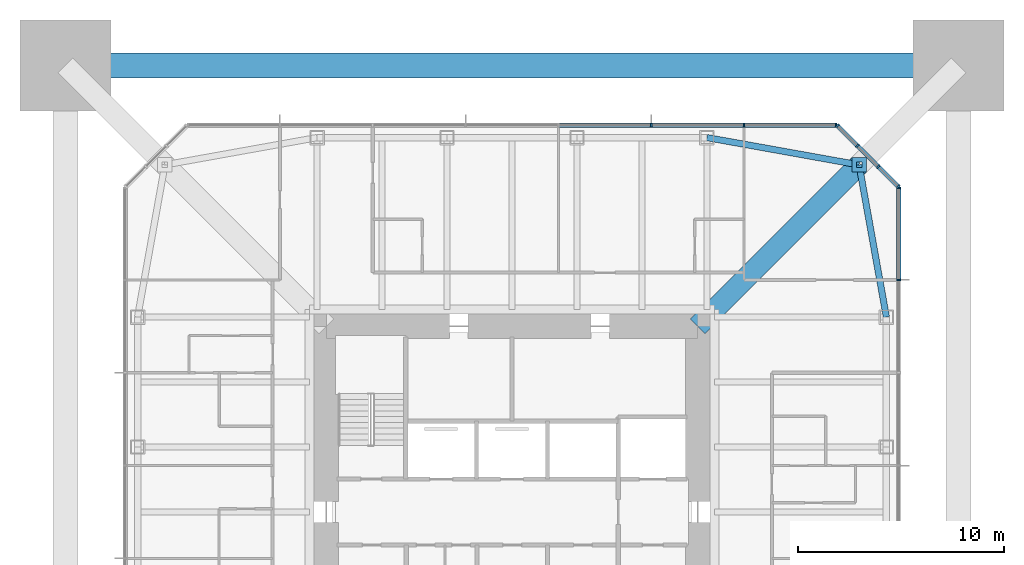
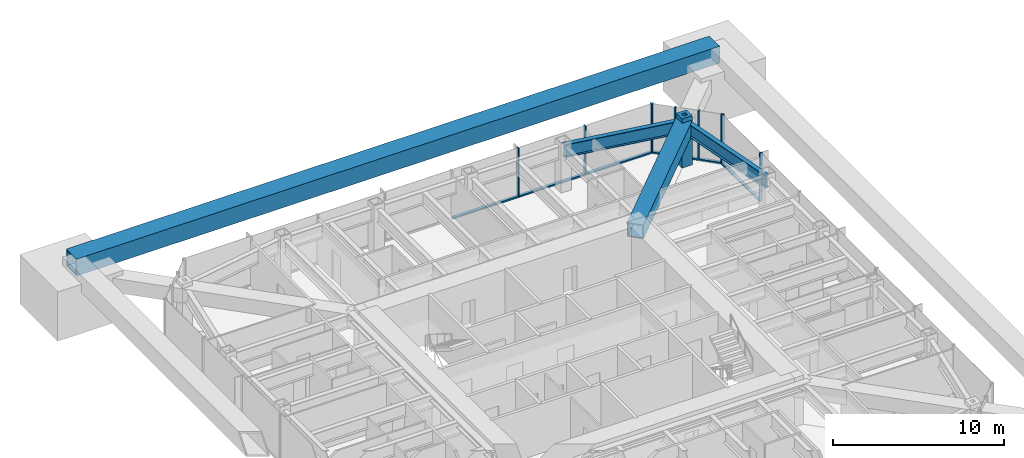
# One storey, part 8 of 15: 19 members, 2 beams, 3 elements without a shape of their own.
"""IFC4 building model written with IfcOpenShell, lengths in metres."""

from ifc_helpers import new_model, si_unit, direction, frame, origin, origin_2d, place, context, subcontext, project, spatial, rectangle, hollow_rectangle, i_section, extrude, material, material_profile, profile_set, type_object, element, aggregate, save


model = new_model("IFC4")

# Units and contexts
model_context = context("Model", 3, precision=1e-05, world=origin(), true_north=direction((0.0, 1.0)))
body_context = subcontext(model_context, "Body", "Model", "MODEL_VIEW")
ifc_project = project(units=[si_unit("LENGTHUNIT", "METRE"), si_unit("AREAUNIT", "SQUARE_METRE"), si_unit("VOLUMEUNIT", "CUBIC_METRE"), si_unit("PLANEANGLEUNIT", "RADIAN"), si_unit("MASSUNIT", "GRAM", prefix="KILO")], contexts=[model_context])

# Site, building, storey
site_placement = place(None, origin())
site = spatial("IfcSite", under=ifc_project, at=site_placement, CompositionType="ELEMENT")
building_placement = place(site_placement, origin())
building = spatial("IfcBuilding", under=site, at=building_placement, Name="Iwan Alto Co-Living Towers", CompositionType="ELEMENT")
storey_placement = place(building_placement, frame((0.0, 0.0, 205.5)))
storey = spatial("IfcBuildingStorey", under=building, at=storey_placement, Name="L56", CompositionType="ELEMENT", Elevation=205.5)

# Curtain wall, members
ifc_material_1 = material(Name="Bronze aluminium unitised frame", Category="aluminium")
curtain_wall_type_1 = type_object("IfcCurtainWallType", Name="CURTAIN WALL CW-A", PredefinedType="NOTDEFINED", material=ifc_material_1)
curtain_wall_1_placement = place(storey_placement, origin())
curtain_wall_1 = element("IfcCurtainWall", 1, at=curtain_wall_1_placement, inside=storey, type_object=curtain_wall_type_1, Name="T1 curtain wall E L56", PredefinedType="NOTDEFINED")
ifc_material_2 = material(Name="Aluminium 6063-T6 bronze anodised", Category="aluminium")
ifc_material_profile_1 = material_profile(ifc_material_2, rectangle(XDim=0.199951171875, YDim=0.080078125, at=origin_2d()), Name="AL 80X200")
ifc_profile_set_1 = profile_set([ifc_material_profile_1], Name="Aluminium 6063-T6 bronze anodised")
member_type_1 = type_object("IfcMemberType", Name="CW-A MULLION 80X200", PredefinedType="MULLION", material=ifc_profile_set_1)
member_1_placement = place(storey_placement, frame((18.75, 11.25, 0.0), z_axis=(0.0, 0.0, 1.0), x_axis=(-1.0, 0.0, 0.0)))
member_1 = element("IfcMember", 2, at=member_1_placement, type_object=member_type_1, Name="CW-A mullion 7", PredefinedType="MULLION", context=body_context, shape_type="SweptSolid", body=[
    extrude(rectangle(XDim=0.199951171875, YDim=0.080078125, at=origin_2d()), origin(), (0.0, 0.0, 1.0), 3.5),
])
member_2_placement = place(storey_placement, frame((18.75, 15.7099609375, 0.0), z_axis=(0.0, 0.0, 1.0), x_axis=(-1.0, 0.0, 0.0)))
member_2 = element("IfcMember", 3, at=member_2_placement, type_object=member_type_1, Name="CW-A mullion 8", PredefinedType="MULLION", context=body_context, shape_type="SweptSolid", body=[
    extrude(rectangle(XDim=0.199951171875, YDim=0.080078125, at=origin_2d()), origin(), (0.0, 0.0, 1.0), 3.5),
])

curtain_wall_2_placement = place(storey_placement, origin())
curtain_wall_2 = element("IfcCurtainWall", 4, at=curtain_wall_2_placement, inside=storey, type_object=curtain_wall_type_1, Name="T1 curtain wall N L56", PredefinedType="NOTDEFINED")
member_3_placement = place(storey_placement, frame((15.7099609375, 18.75, 0.0), z_axis=(0.0, 0.0, 1.0), x_axis=(0.0, -1.0, 0.0)))
member_3 = element("IfcMember", 5, at=member_3_placement, type_object=member_type_1, Name="CW-A mullion 1", PredefinedType="MULLION", context=body_context, shape_type="SweptSolid", body=[
    extrude(rectangle(XDim=0.199951171875, YDim=0.080078125, at=origin_2d()), origin(), (0.0, 0.0, 1.0), 3.5),
])
member_4_placement = place(storey_placement, frame((11.25, 18.75, 0.0), z_axis=(0.0, 0.0, 1.0), x_axis=(0.0, -1.0, 0.0)))
member_4 = element("IfcMember", 6, at=member_4_placement, type_object=member_type_1, Name="CW-A mullion 2", PredefinedType="MULLION", context=body_context, shape_type="SweptSolid", body=[
    extrude(rectangle(XDim=0.199951171875, YDim=0.080078125, at=origin_2d()), origin(), (0.0, 0.0, 1.0), 3.5),
])
member_5_placement = place(storey_placement, frame((6.75, 18.75, 0.0), z_axis=(0.0, 0.0, 1.0), x_axis=(0.0, -1.0, 0.0)))
member_5 = element("IfcMember", 7, at=member_5_placement, type_object=member_type_1, Name="CW-A mullion 3", PredefinedType="MULLION", context=body_context, shape_type="SweptSolid", body=[
    extrude(rectangle(XDim=0.199951171875, YDim=0.080078125, at=origin_2d()), origin(), (0.0, 0.0, 1.0), 3.5),
])

# Member
ifc_material_3 = material(Name="Aluminium 6063-T6 bronze anodised", Category="aluminium")
ifc_material_profile_2 = material_profile(ifc_material_3, rectangle(XDim=0.199951171875, YDim=0.10009765625, at=origin_2d()), Name="AL 200X100")
ifc_profile_set_2 = profile_set([ifc_material_profile_2], Name="Aluminium 6063-T6 bronze anodised")
member_type_2 = type_object("IfcMemberType", Name="CW-A TRANSOM 200X100", PredefinedType="USERDEFINED", material=ifc_profile_set_2)
member_6_placement = place(storey_placement, frame((18.75, 11.2900390625, 0.050048828125), z_axis=(0.0, 1.0, 0.0), x_axis=(-1.0, 0.0, 0.0)))
member_6 = element("IfcMember", 8, at=member_6_placement, type_object=member_type_2, Name="CW-A transom 7.1", ObjectType="TRANSOM", PredefinedType="USERDEFINED", context=body_context, shape_type="SweptSolid", body=[
    extrude(rectangle(XDim=0.199951171875, YDim=0.10009765625, at=origin_2d()), origin(), (0.0, 0.0, 1.0), 4.3798828125),
])

aggregate(curtain_wall_1, [member_1, member_2, member_6])

member_7_placement = place(storey_placement, frame((15.669921875, 18.75, 0.050048828125), z_axis=(-1.0, 0.0, 0.0), x_axis=(0.0, -1.0, 0.0)))
member_7 = element("IfcMember", 9, at=member_7_placement, type_object=member_type_2, Name="CW-A transom 1.1", ObjectType="TRANSOM", PredefinedType="USERDEFINED", context=body_context, shape_type="SweptSolid", body=[
    extrude(rectangle(XDim=0.199951171875, YDim=0.10009765625, at=origin_2d()), origin(), (0.0, 0.0, 1.0), 4.3798828125),
])

member_8_placement = place(storey_placement, frame((11.2099609375, 18.75, 0.050048828125), z_axis=(-1.0, 0.0, 0.0), x_axis=(0.0, -1.0, 0.0)))
member_8 = element("IfcMember", 10, at=member_8_placement, type_object=member_type_2, Name="CW-A transom 2.1", ObjectType="TRANSOM", PredefinedType="USERDEFINED", context=body_context, shape_type="SweptSolid", body=[
    extrude(rectangle(XDim=0.199951171875, YDim=0.10009765625, at=origin_2d()), origin(), (0.0, 0.0, 1.0), 4.419921875),
])

member_9_placement = place(storey_placement, frame((6.7099609375, 18.75, 0.050048828125), z_axis=(-1.0, 0.0, 0.0), x_axis=(0.0, -1.0, 0.0)))
member_9 = element("IfcMember", 11, at=member_9_placement, type_object=member_type_2, Name="CW-A transom 3.1", ObjectType="TRANSOM", PredefinedType="USERDEFINED", context=body_context, shape_type="SweptSolid", body=[
    extrude(rectangle(XDim=0.199951171875, YDim=0.10009765625, at=origin_2d()), origin(), (0.0, 0.0, 1.0), 4.419921875),
])

aggregate(curtain_wall_2, [member_3, member_4, member_5, member_7, member_8, member_9])

# Curtain wall, members
ifc_material_4 = material(Name="Bronze aluminium unitised frame", Category="aluminium")
curtain_wall_type_2 = type_object("IfcCurtainWallType", Name="CURTAIN WALL CW-B", PredefinedType="NOTDEFINED", material=ifc_material_4)
curtain_wall_3_placement = place(storey_placement, origin())
curtain_wall_3 = element("IfcCurtainWall", 12, at=curtain_wall_3_placement, inside=storey, type_object=curtain_wall_type_2, Name="T1 chamfer curtain wall NE L56", PredefinedType="NOTDEFINED")
ifc_material_5 = material(Name="Aluminium 6063-T6 bronze anodised", Category="aluminium")
ifc_material_profile_3 = material_profile(ifc_material_5, rectangle(XDim=0.199951171875, YDim=0.080078125, at=origin_2d()), Name="AL 80X200")
ifc_profile_set_3 = profile_set([ifc_material_profile_3], Name="Aluminium 6063-T6 bronze anodised")
member_type_3 = type_object("IfcMemberType", Name="CW-B MULLION 80X200", PredefinedType="MULLION", material=ifc_profile_set_3)
member_10_placement = place(storey_placement, frame((18.7216796875, 15.7783203125, 0.0), z_axis=(0.0, 0.0, 1.0), x_axis=(-0.707106781187, -0.707106781187, 0.0)))
member_10 = element("IfcMember", 13, at=member_10_placement, type_object=member_type_3, Name="CW-B mullion 1", PredefinedType="MULLION", context=body_context, shape_type="SweptSolid", body=[
    extrude(rectangle(XDim=0.199951171875, YDim=0.080078125, at=origin_2d()), origin(), (0.0, 0.0, 1.0), 3.5),
])
member_11_placement = place(storey_placement, frame((17.75, 16.75, 0.0), z_axis=(0.0, 0.0, 1.0), x_axis=(-0.707106781187, -0.707106781187, 0.0)))
member_11 = element("IfcMember", 14, at=member_11_placement, type_object=member_type_3, Name="CW-B mullion 2", PredefinedType="MULLION", context=body_context, shape_type="SweptSolid", body=[
    extrude(rectangle(XDim=0.199951171875, YDim=0.080078125, at=origin_2d()), origin(), (0.0, 0.0, 1.0), 3.5),
])
member_12_placement = place(storey_placement, frame((16.75, 17.75, 0.0), z_axis=(0.0, 0.0, 1.0), x_axis=(-0.707106781187, -0.707106781187, 0.0)))
member_12 = element("IfcMember", 15, at=member_12_placement, type_object=member_type_3, Name="CW-B mullion 3", PredefinedType="MULLION", context=body_context, shape_type="SweptSolid", body=[
    extrude(rectangle(XDim=0.199951171875, YDim=0.080078125, at=origin_2d()), origin(), (0.0, 0.0, 1.0), 3.5),
])
member_13_placement = place(storey_placement, frame((15.7783203125, 18.7216796875, 0.0), z_axis=(0.0, 0.0, 1.0), x_axis=(-0.707106781187, -0.707106781187, 0.0)))
member_13 = element("IfcMember", 16, at=member_13_placement, type_object=member_type_3, Name="CW-B mullion 4", PredefinedType="MULLION", context=body_context, shape_type="SweptSolid", body=[
    extrude(rectangle(XDim=0.199951171875, YDim=0.080078125, at=origin_2d()), origin(), (0.0, 0.0, 1.0), 3.5),
])
ifc_material_6 = material(Name="Aluminium 6063-T6 bronze anodised", Category="aluminium")
ifc_material_profile_4 = material_profile(ifc_material_6, rectangle(XDim=0.199951171875, YDim=0.10009765625, at=origin_2d()), Name="AL 200X100")
ifc_profile_set_4 = profile_set([ifc_material_profile_4], Name="Aluminium 6063-T6 bronze anodised")
member_type_4 = type_object("IfcMemberType", Name="CW-B TRANSOM 200X100", PredefinedType="USERDEFINED", material=ifc_profile_set_4)
member_14_placement = place(storey_placement, frame((18.693359375, 15.806640625, 0.050048828125), z_axis=(-0.707106781187, 0.707106781187, 0.0), x_axis=(-0.707106781187, -0.707106781187, 0.0)))
member_14 = element("IfcMember", 17, at=member_14_placement, type_object=member_type_4, Name="CW-B transom 1.1", ObjectType="TRANSOM", PredefinedType="USERDEFINED", context=body_context, shape_type="SweptSolid", body=[
    extrude(rectangle(XDim=0.199951171875, YDim=0.10009765625, at=origin_2d()), origin(), (0.0, 0.0, 1.0), 1.2939453125),
])
member_15_placement = place(storey_placement, frame((17.7216796875, 16.7783203125, 0.050048828125), z_axis=(-0.707106781187, 0.707106781187, 0.0), x_axis=(-0.707106781187, -0.707106781187, 0.0)))
member_15 = element("IfcMember", 18, at=member_15_placement, type_object=member_type_4, Name="CW-B transom 2.1", ObjectType="TRANSOM", PredefinedType="USERDEFINED", context=body_context, shape_type="SweptSolid", body=[
    extrude(rectangle(XDim=0.199951171875, YDim=0.10009765625, at=origin_2d()), origin(), (0.0, 0.0, 1.0), 1.334228515625),
])
member_16_placement = place(storey_placement, frame((16.7216796875, 17.7783203125, 0.050048828125), z_axis=(-0.707106781187, 0.707106781187, 0.0), x_axis=(-0.707106781187, -0.707106781187, 0.0)))
member_16 = element("IfcMember", 19, at=member_16_placement, type_object=member_type_4, Name="CW-B transom 3.1", ObjectType="TRANSOM", PredefinedType="USERDEFINED", context=body_context, shape_type="SweptSolid", body=[
    extrude(rectangle(XDim=0.199951171875, YDim=0.10009765625, at=origin_2d()), origin(), (0.0, 0.0, 1.0), 1.2939453125),
])
aggregate(curtain_wall_3, [member_10, member_11, member_12, member_13, member_14, member_15, member_16])

# Beams
ifc_material_7 = material(Name="Steel ASTM A992 Gr 50", Category="steel")
ifc_material_profile_5 = material_profile(ifc_material_7, i_section(OverallWidth=0.307373046875, OverallDepth=0.927001953125, WebThickness=0.01953125, FlangeThickness=0.031982421875, at=origin_2d()), Name="W36X194")
ifc_profile_set_5 = profile_set([ifc_material_profile_5], Name="Steel ASTM A992 Gr 50")
beam_type = type_object("IfcBeamType", Name="T1 BELT TRUSS CHORD W36X194", PredefinedType="BEAM", material=ifc_profile_set_5)
for number, where, z_axis, x_axis, name in (
    (20, (18.14990234375, 9.449951171875, 2.736328125), (-0.17671181143, 0.98426263553, 0.0), (-0.98426263553, -0.17671181143, 0.0), "T1 edge beam E4 L57"),
    (21, (16.82568359375, 16.82568359375, 2.736328125), (-0.98426263553, 0.17671181143, 0.0), (-0.17671181143, -0.98426263553, 0.0), "T1 edge beam CNE L57"),
):
    element("IfcBeam", number, at=place(storey_placement, frame(where, z_axis=z_axis, x_axis=x_axis)), inside=storey, type_object=beam_type, Name=name, PredefinedType="BEAM", context=body_context, shape_type="SweptSolid", body=[
        extrude(i_section(OverallWidth=0.307373046875, OverallDepth=0.927001953125, WebThickness=0.01953125, FlangeThickness=0.031982421875, at=origin_2d()), origin(), (0.0, 0.0, 1.0), 7.49365234375),
    ])

# Members
ifc_material_8 = material(Name="Steel ASTM A36", Category="steel")
ifc_material_profile_6 = material_profile(ifc_material_8, hollow_rectangle(XDim=0.699951171875, YDim=0.699951171875, WallThickness=0.219970703125, at=origin_2d()), Name="BOX 700X700X220")
ifc_profile_set_6 = profile_set([ifc_material_profile_6], Name="Steel ASTM A36")
member_type_5 = type_object("IfcMemberType", Name="T1 HEAVY RING POST AT STEP BOX 700X700X220", PredefinedType="MEMBER", material=ifc_profile_set_6)
member_17_placement = place(storey_placement, frame((16.82568359375, 16.82568359375, 0.0), z_axis=(0.0, 0.0, 1.0), x_axis=(1.0, 0.0, 0.0)))
element("IfcMember", 22, at=member_17_placement, inside=storey, type_object=member_type_5, Name="T1 ring post at step CNE L56", PredefinedType="MEMBER", context=body_context, shape_type="SweptSolid", body=[
    extrude(hollow_rectangle(XDim=0.699951171875, YDim=0.699951171875, WallThickness=0.219970703125, at=origin_2d()), origin(), (0.0, 0.0, 1.0), 3.5),
])
ifc_material_9 = material(Name="Steel ASTM A572 Gr 50", Category="steel")
ifc_material_profile_7 = material_profile(ifc_material_9, hollow_rectangle(XDim=1.199951171875, YDim=1.199951171875, WallThickness=0.070068359375, at=origin_2d()), Name="BOX 1200X1200X70")
ifc_profile_set_7 = profile_set([ifc_material_profile_7], Name="Steel ASTM A572 Gr 50")
member_type_6 = type_object("IfcMemberType", Name="T1 MEGA BELT TIE BOX 1200X1200X70", PredefinedType="STRUT", material=ifc_profile_set_7)
member_18_placement = place(storey_placement, frame((21.64990234375, 21.64990234375, 3.5), z_axis=(-1.0, 0.0, 0.0), x_axis=(0.0, -1.0, 0.0)))
element("IfcMember", 23, at=member_18_placement, inside=storey, type_object=member_type_6, Name="T1 mega belt tie N L57", PredefinedType="STRUT", context=body_context, shape_type="SweptSolid", body=[
    extrude(hollow_rectangle(XDim=1.199951171875, YDim=1.199951171875, WallThickness=0.070068359375, at=origin_2d()), origin(), (0.0, 0.0, 1.0), 43.2998046875),
])
ifc_material_10 = material(Name="Steel ASTM A572 Gr 50", Category="steel")
ifc_material_profile_8 = material_profile(ifc_material_10, hollow_rectangle(XDim=1.0, YDim=1.0, WallThickness=0.070068359375, at=origin_2d()), Name="BOX 1000X1000X70")
ifc_profile_set_8 = profile_set([ifc_material_profile_8], Name="Steel ASTM A572 Gr 50")
member_type_7 = type_object("IfcMemberType", Name="T1 OUTRIGGER CHORD BOX 1000X1000X70", PredefinedType="CHORD", material=ifc_profile_set_8)
member_19_placement = place(storey_placement, frame((9.0, 9.0, 2.699951171875), z_axis=(0.707106781187, 0.707106781187, 0.0), x_axis=(-0.707106781187, 0.707106781187, 0.0)))
element("IfcMember", 24, at=member_19_placement, inside=storey, type_object=member_type_7, Name="T1 outrigger NE L57 bottom chord 1", PredefinedType="CHORD", context=body_context, shape_type="SweptSolid", body=[
    extrude(hollow_rectangle(XDim=1.0, YDim=1.0, WallThickness=0.070068359375, at=origin_2d()), origin(), (0.0, 0.0, 1.0), 11.067138671875),
])

save(model, "model.ifc")
